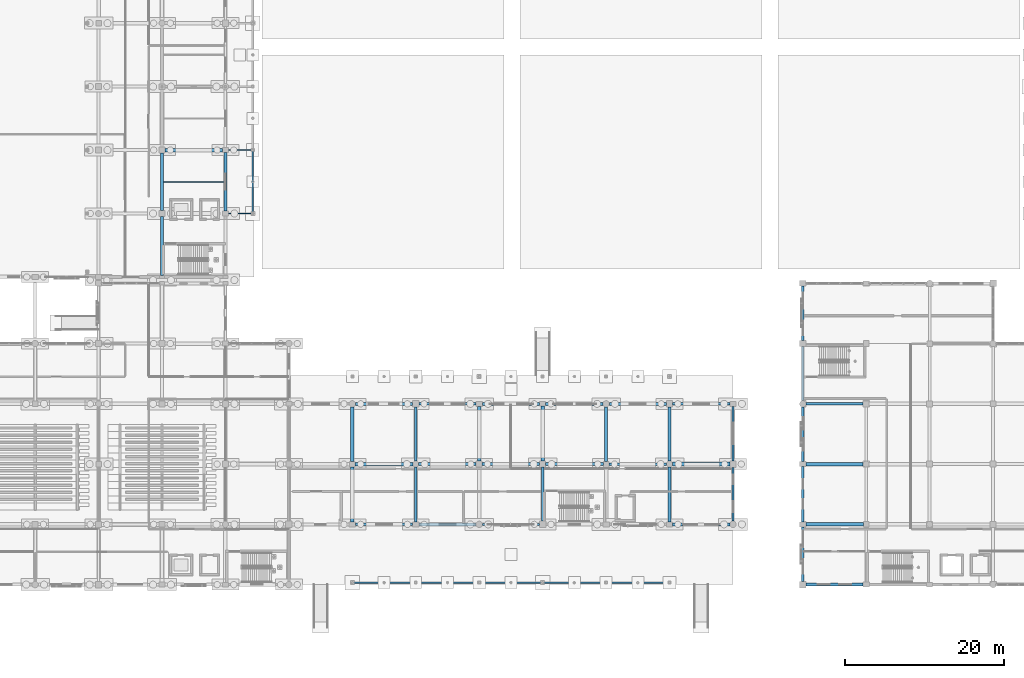
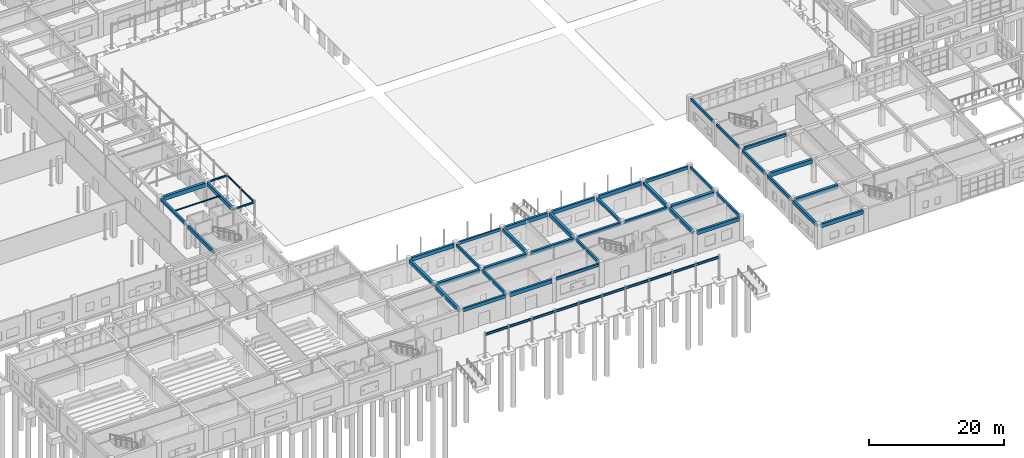
# One storey, part 55 of 166: 50 beams.
"""IFC4 building model written with IfcOpenShell, lengths in metres."""

from ifc_helpers import new_model, si_unit, direction, frame, origin, origin_2d, place, context, subcontext, project, spatial, rectangle, i_section, extrude, material, material_profile, profile_set, type_object, element, save


model = new_model("IFC4")

# Units and contexts
model_context = context("Model", 3, precision=1e-05, world=origin(), true_north=direction((0.0, 1.0)))
body_context = subcontext(model_context, "Body", "Model", "MODEL_VIEW")
ifc_project = project(units=[si_unit("LENGTHUNIT", "METRE"), si_unit("AREAUNIT", "SQUARE_METRE"), si_unit("VOLUMEUNIT", "CUBIC_METRE"), si_unit("PLANEANGLEUNIT", "RADIAN"), si_unit("MASSUNIT", "GRAM", prefix="KILO")], contexts=[model_context])

# Site, building, storey
site_placement = place(None, origin())
site = spatial("IfcSite", under=ifc_project, at=site_placement, CompositionType="ELEMENT")
building_placement = place(site_placement, origin())
building = spatial("IfcBuilding", under=site, at=building_placement, Name="Kharva Crest Polytechnic", CompositionType="ELEMENT")
storey_placement = place(building_placement, origin())
storey = spatial("IfcBuildingStorey", under=building, at=storey_placement, Name="L00", CompositionType="ELEMENT", Elevation=0.0)

# Beams
ifc_material_1 = material(Name="Concrete C35/45", Category="concrete")
ifc_material_profile_1 = material_profile(ifc_material_1, rectangle(XDim=0.300048828125, YDim=0.449951171875, at=origin_2d()), Name="RECT 300 X 450")
ifc_profile_set_1 = profile_set([ifc_material_profile_1], Name="Concrete C35/45")
beam_type_1 = type_object("IfcBeamType", Name="BM-RC-300X450", PredefinedType="BEAM", material=ifc_profile_set_1)
beam_1_placement = place(storey_placement, frame((88.0, 8.0, 3.9951171875), z_axis=(0.0, 1.0, 0.0), x_axis=(-1.0, 0.0, 0.0)))
element("IfcBeam", 1, at=beam_1_placement, inside=storey, type_object=beam_type_1, Name="L00 Girder 12/B-C", PredefinedType="BEAM", context=body_context, shape_type="SweptSolid", body=[
    extrude(rectangle(XDim=0.300048828125, YDim=0.449951171875, at=origin_2d()), origin(), (0.0, 0.0, 1.0), 6.830078125),
])
ifc_material_profile_2 = material_profile(ifc_material_1, rectangle(XDim=0.300048828125, YDim=0.47998046875, at=origin_2d()), Name="RECT 300 X 480")
ifc_profile_set_2 = profile_set([ifc_material_profile_2], Name="Concrete C35/45")
beam_type_2 = type_object("IfcBeamType", Name="BM-RC-300X480", PredefinedType="BEAM", material=ifc_profile_set_2)
beam_2_placement = place(storey_placement, frame((72.0, 15.574951171875, 3.97998046875), z_axis=(0.0, 1.0, 0.0), x_axis=(-1.0, 0.0, 0.0)))
element("IfcBeam", 2, at=beam_2_placement, inside=storey, type_object=beam_type_2, Name="L00 Girder 10/C-D", PredefinedType="BEAM", context=body_context, shape_type="SweptSolid", body=[
    extrude(rectangle(XDim=0.300048828125, YDim=0.47998046875, at=origin_2d()), origin(), (0.0, 0.0, 1.0), 6.824951171875),
])
ifc_material_profile_3 = material_profile(ifc_material_1, rectangle(XDim=0.320068359375, YDim=0.5, at=origin_2d()), Name="RECT 320 X 500")
ifc_profile_set_3 = profile_set([ifc_material_profile_3], Name="Concrete C35/45")
beam_type_3 = type_object("IfcBeamType", Name="BM-RC-320X500", PredefinedType="BEAM", material=ifc_profile_set_3)
beam_3_placement = place(storey_placement, frame((96.35009765625, 15.199951171875, 3.969970703125), z_axis=(1.0, 0.0, 0.0), x_axis=(0.0, 1.0, 0.0)))
element("IfcBeam", 3, at=beam_3_placement, inside=storey, type_object=beam_type_3, Name="L00 Beam C/13-14", PredefinedType="BEAM", context=body_context, shape_type="SweptSolid", body=[
    extrude(rectangle(XDim=0.320068359375, YDim=0.5, at=origin_2d()), origin(), (0.0, 0.0, 1.0), 7.27490234375),
])
beam_4_placement = place(storey_placement, frame((121.199951171875, 22.800048828125, 3.969970703125), z_axis=(1.0, 0.0, 0.0), x_axis=(0.0, 1.0, 0.0)))
element("IfcBeam", 4, at=beam_4_placement, inside=storey, type_object=beam_type_3, Name="L00 Beam D/16J-17", PredefinedType="BEAM", context=body_context, shape_type="SweptSolid", body=[
    extrude(rectangle(XDim=0.320068359375, YDim=0.5, at=origin_2d()), origin(), (0.0, 0.0, 1.0), 7.219970703125),
])
ifc_material_profile_4 = material_profile(ifc_material_1, rectangle(XDim=0.340087890625, YDim=0.52001953125, at=origin_2d()), Name="RECT 340 X 520")
ifc_profile_set_4 = profile_set([ifc_material_profile_4], Name="Concrete C35/45")
beam_type_4 = type_object("IfcBeamType", Name="BM-RC-340X520", PredefinedType="BEAM", material=ifc_profile_set_4)
beam_5_placement = place(storey_placement, frame((40.0, 47.179931640625, 3.9599609375), z_axis=(0.0, 1.0, 0.0), x_axis=(-1.0, 0.0, 0.0)))
element("IfcBeam", 5, at=beam_5_placement, inside=storey, type_object=beam_type_4, Name="L00 Girder 6/G-H", PredefinedType="BEAM", context=body_context, shape_type="SweptSolid", body=[
    extrude(rectangle(XDim=0.340087890625, YDim=0.52001953125, at=origin_2d()), origin(), (0.0, 0.0, 1.0), 7.25),
])
beam_6_placement = place(storey_placement, frame((72.0, 7.89990234375, 3.9599609375), z_axis=(0.0, 1.0, 0.0), x_axis=(-1.0, 0.0, 0.0)))
element("IfcBeam", 6, at=beam_6_placement, inside=storey, type_object=beam_type_4, Name="L00 Girder 10/B-C", PredefinedType="BEAM", context=body_context, shape_type="SweptSolid", body=[
    extrude(rectangle(XDim=0.340087890625, YDim=0.52001953125, at=origin_2d()), origin(), (0.0, 0.0, 1.0), 6.925048828125),
])
beam_7_placement = place(storey_placement, frame((96.0, 15.550048828125, 3.9599609375), z_axis=(0.0, 1.0, 0.0), x_axis=(-1.0, 0.0, 0.0)))
element("IfcBeam", 7, at=beam_7_placement, inside=storey, type_object=beam_type_4, Name="L00 Girder 13/C-D", PredefinedType="BEAM", context=body_context, shape_type="SweptSolid", body=[
    extrude(rectangle(XDim=0.340087890625, YDim=0.52001953125, at=origin_2d()), origin(), (0.0, 0.0, 1.0), 6.849853515625),
])
ifc_material_profile_5 = material_profile(ifc_material_1, rectangle(XDim=0.35009765625, YDim=0.550048828125, at=origin_2d()), Name="RECT 350 X 550")
ifc_profile_set_5 = profile_set([ifc_material_profile_5], Name="Concrete C35/45")
beam_type_5 = type_object("IfcBeamType", Name="BM-RC-350X550", PredefinedType="BEAM", material=ifc_profile_set_5)
beam_8_placement = place(storey_placement, frame((88.3701171875, 15.199951171875, 3.945068359375), z_axis=(1.0, 0.0, 0.0), x_axis=(0.0, 1.0, 0.0)))
element("IfcBeam", 8, at=beam_8_placement, inside=storey, type_object=beam_type_5, Name="L00 Beam C/12-13", PredefinedType="BEAM", context=body_context, shape_type="SweptSolid", body=[
    extrude(rectangle(XDim=0.35009765625, YDim=0.550048828125, at=origin_2d()), origin(), (0.0, 0.0, 1.0), 7.27978515625),
])
ifc_material_profile_6 = material_profile(ifc_material_1, rectangle(XDim=0.360107421875, YDim=0.580078125, at=origin_2d()), Name="RECT 360 X 580")
ifc_profile_set_6 = profile_set([ifc_material_profile_6], Name="Concrete C35/45")
beam_type_6 = type_object("IfcBeamType", Name="BM-RC-360X580", PredefinedType="BEAM", material=ifc_profile_set_6)
beam_9_placement = place(storey_placement, frame((40.0, 39.0, 3.929931640625), z_axis=(0.0, 1.0, 0.0), x_axis=(-1.0, 0.0, 0.0)))
element("IfcBeam", 9, at=beam_9_placement, inside=storey, type_object=beam_type_6, Name="L00 Girder 6/FJ-G", PredefinedType="BEAM", context=body_context, shape_type="SweptSolid", body=[
    extrude(rectangle(XDim=0.360107421875, YDim=0.580078125, at=origin_2d()), origin(), (0.0, 0.0, 1.0), 7.419921875),
])
ifc_material_profile_7 = material_profile(ifc_material_1, rectangle(XDim=0.3798828125, YDim=0.60009765625, at=origin_2d()), Name="RECT 380 X 600")
ifc_profile_set_7 = profile_set([ifc_material_profile_7], Name="Concrete C35/45")
beam_type_7 = type_object("IfcBeamType", Name="BM-RC-380X600", PredefinedType="BEAM", material=ifc_profile_set_7)
beam_10_placement = place(storey_placement, frame((80.3798828125, 15.199951171875, 3.919921875), z_axis=(1.0, 0.0, 0.0), x_axis=(0.0, 1.0, 0.0)))
element("IfcBeam", 10, at=beam_10_placement, inside=storey, type_object=beam_type_7, Name="L00 Beam C/11-12", PredefinedType="BEAM", context=body_context, shape_type="SweptSolid", body=[
    extrude(rectangle(XDim=0.3798828125, YDim=0.60009765625, at=origin_2d()), origin(), (0.0, 0.0, 1.0), 7.25),
])
ifc_material_profile_8 = material_profile(ifc_material_1, rectangle(XDim=0.39990234375, YDim=0.580078125, at=origin_2d()), Name="RECT 400 X 580")
ifc_profile_set_8 = profile_set([ifc_material_profile_8], Name="Concrete C35/45")
beam_type_8 = type_object("IfcBeamType", Name="BM-RC-400X580", PredefinedType="BEAM", material=ifc_profile_set_8)
beam_11_placement = place(storey_placement, frame((80.0, 15.580078125, 3.929931640625), z_axis=(0.0, 1.0, 0.0), x_axis=(-1.0, 0.0, 0.0)))
element("IfcBeam", 11, at=beam_11_placement, inside=storey, type_object=beam_type_8, Name="L00 Girder 11/C-D", PredefinedType="BEAM", context=body_context, shape_type="SweptSolid", body=[
    extrude(rectangle(XDim=0.39990234375, YDim=0.580078125, at=origin_2d()), origin(), (0.0, 0.0, 1.0), 6.89501953125),
])
beam_12_placement = place(storey_placement, frame((104.0, 15.574951171875, 3.929931640625), z_axis=(0.0, 1.0, 0.0), x_axis=(-1.0, 0.0, 0.0)))
element("IfcBeam", 12, at=beam_12_placement, inside=storey, type_object=beam_type_8, Name="L00 Girder 14/C-D", PredefinedType="BEAM", context=body_context, shape_type="SweptSolid", body=[
    extrude(rectangle(XDim=0.39990234375, YDim=0.580078125, at=origin_2d()), origin(), (0.0, 0.0, 1.0), 6.824951171875),
])
ifc_material_profile_9 = material_profile(ifc_material_1, rectangle(XDim=0.39990234375, YDim=0.6201171875, at=origin_2d()), Name="RECT 400 X 620")
ifc_profile_set_9 = profile_set([ifc_material_profile_9], Name="Concrete C35/45")
beam_type_9 = type_object("IfcBeamType", Name="BM-RC-400X620", PredefinedType="BEAM", material=ifc_profile_set_9)
beam_13_placement = place(storey_placement, frame((64.0, 15.550048828125, 3.909912109375), z_axis=(0.0, 1.0, 0.0), x_axis=(-1.0, 0.0, 0.0)))
element("IfcBeam", 13, at=beam_13_placement, inside=storey, type_object=beam_type_9, Name="L00 Girder 9/C-D", PredefinedType="BEAM", context=body_context, shape_type="SweptSolid", body=[
    extrude(rectangle(XDim=0.39990234375, YDim=0.6201171875, at=origin_2d()), origin(), (0.0, 0.0, 1.0), 6.849853515625),
])
beam_14_placement = place(storey_placement, frame((104.0, 7.89990234375, 3.909912109375), z_axis=(0.0, 1.0, 0.0), x_axis=(-1.0, 0.0, 0.0)))
element("IfcBeam", 14, at=beam_14_placement, inside=storey, type_object=beam_type_9, Name="L00 Girder 14/B-C", PredefinedType="BEAM", context=body_context, shape_type="SweptSolid", body=[
    extrude(rectangle(XDim=0.39990234375, YDim=0.6201171875, at=origin_2d()), origin(), (0.0, 0.0, 1.0), 6.925048828125),
])
ifc_material_profile_10 = material_profile(ifc_material_1, rectangle(XDim=0.39990234375, YDim=0.64990234375, at=origin_2d()), Name="RECT 400 X 650")
ifc_profile_set_10 = profile_set([ifc_material_profile_10], Name="Concrete C35/45")
beam_type_10 = type_object("IfcBeamType", Name="BM-RC-400X650", PredefinedType="BEAM", material=ifc_profile_set_10)
beam_15_placement = place(storey_placement, frame((72.375, 15.199951171875, 3.89501953125), z_axis=(1.0, 0.0, 0.0), x_axis=(0.0, 1.0, 0.0)))
element("IfcBeam", 15, at=beam_15_placement, inside=storey, type_object=beam_type_10, Name="L00 Beam C/10-11", PredefinedType="BEAM", context=body_context, shape_type="SweptSolid", body=[
    extrude(rectangle(XDim=0.39990234375, YDim=0.64990234375, at=origin_2d()), origin(), (0.0, 0.0, 1.0), 7.2451171875),
])
ifc_material_profile_11 = material_profile(ifc_material_1, rectangle(XDim=0.419921875, YDim=0.659912109375, at=origin_2d()), Name="RECT 420 X 660")
ifc_profile_set_11 = profile_set([ifc_material_profile_11], Name="Concrete C35/45")
beam_type_11 = type_object("IfcBeamType", Name="BM-RC-420X660", PredefinedType="BEAM", material=ifc_profile_set_11)
beam_16_placement = place(storey_placement, frame((64.35009765625, 15.199951171875, 3.889892578125), z_axis=(1.0, 0.0, 0.0), x_axis=(0.0, 1.0, 0.0)))
element("IfcBeam", 16, at=beam_16_placement, inside=storey, type_object=beam_type_11, Name="L00 Beam C/9-10", PredefinedType="BEAM", context=body_context, shape_type="SweptSolid", body=[
    extrude(rectangle(XDim=0.419921875, YDim=0.659912109375, at=origin_2d()), origin(), (0.0, 0.0, 1.0), 7.27490234375),
])
ifc_material_profile_12 = material_profile(ifc_material_1, rectangle(XDim=0.449951171875, YDim=0.679931640625, at=origin_2d()), Name="RECT 450 X 680")
ifc_profile_set_12 = profile_set([ifc_material_profile_12], Name="Concrete C35/45")
beam_type_12 = type_object("IfcBeamType", Name="BM-RC-450X680", PredefinedType="BEAM", material=ifc_profile_set_12)
beam_17_placement = place(storey_placement, frame((64.0, 7.925048828125, 3.8798828125), z_axis=(0.0, 1.0, 0.0), x_axis=(-1.0, 0.0, 0.0)))
element("IfcBeam", 17, at=beam_17_placement, inside=storey, type_object=beam_type_12, Name="L00 Girder 9/B-C", PredefinedType="BEAM", context=body_context, shape_type="SweptSolid", body=[
    extrude(rectangle(XDim=0.449951171875, YDim=0.679931640625, at=origin_2d()), origin(), (0.0, 0.0, 1.0), 6.925048828125),
])
beam_18_placement = place(storey_placement, frame((88.0, 15.570068359375, 3.8798828125), z_axis=(0.0, 1.0, 0.0), x_axis=(-1.0, 0.0, 0.0)))
element("IfcBeam", 18, at=beam_18_placement, inside=storey, type_object=beam_type_12, Name="L00 Girder 12/C-D", PredefinedType="BEAM", context=body_context, shape_type="SweptSolid", body=[
    extrude(rectangle(XDim=0.449951171875, YDim=0.679931640625, at=origin_2d()), origin(), (0.0, 0.0, 1.0), 6.929931640625),
])
ifc_material_profile_13 = material_profile(ifc_material_1, rectangle(XDim=0.449951171875, YDim=0.719970703125, at=origin_2d()), Name="RECT 450 X 720")
ifc_profile_set_13 = profile_set([ifc_material_profile_13], Name="Concrete C35/45")
beam_type_13 = type_object("IfcBeamType", Name="BM-RC-450X720", PredefinedType="BEAM", material=ifc_profile_set_13)
beam_19_placement = place(storey_placement, frame((121.199951171875, 7.60009765625, 3.860107421875), z_axis=(1.0, 0.0, 0.0), x_axis=(0.0, 1.0, 0.0)))
element("IfcBeam", 19, at=beam_19_placement, inside=storey, type_object=beam_type_13, Name="L00 Beam B/16J-17", PredefinedType="BEAM", context=body_context, shape_type="SweptSolid", body=[
    extrude(rectangle(XDim=0.449951171875, YDim=0.719970703125, at=origin_2d()), origin(), (0.0, 0.0, 1.0), 7.25),
])
beam_20_placement = place(storey_placement, frame((121.18994140625, 15.199951171875, 3.860107421875), z_axis=(1.0, 0.0, 0.0), x_axis=(0.0, 1.0, 0.0)))
element("IfcBeam", 20, at=beam_20_placement, inside=storey, type_object=beam_type_13, Name="L00 Beam C/16J-17", PredefinedType="BEAM", context=body_context, shape_type="SweptSolid", body=[
    extrude(rectangle(XDim=0.449951171875, YDim=0.719970703125, at=origin_2d()), origin(), (0.0, 0.0, 1.0), 7.235107421875),
])
beam_21_placement = place(storey_placement, frame((40.3701171875, 54.800048828125, 3.860107421875), z_axis=(1.0, 0.0, 0.0), x_axis=(0.0, 1.0, 0.0)))
element("IfcBeam", 21, at=beam_21_placement, inside=storey, type_object=beam_type_13, Name="L00 Beam H/6-7", PredefinedType="BEAM", context=body_context, shape_type="SweptSolid", body=[
    extrude(rectangle(XDim=0.449951171875, YDim=0.719970703125, at=origin_2d()), origin(), (0.0, 0.0, 1.0), 7.239990234375),
])
ifc_material_profile_14 = material_profile(ifc_material_1, rectangle(XDim=0.47998046875, YDim=0.75, at=origin_2d()), Name="RECT 480 X 750")
ifc_profile_set_14 = profile_set([ifc_material_profile_14], Name="Concrete C35/45")
beam_type_14 = type_object("IfcBeamType", Name="BM-RC-480X750", PredefinedType="BEAM", material=ifc_profile_set_14)
beam_22_placement = place(storey_placement, frame((104.375, 15.199951171875, 3.844970703125), z_axis=(1.0, 0.0, 0.0), x_axis=(0.0, 1.0, 0.0)))
element("IfcBeam", 22, at=beam_22_placement, inside=storey, type_object=beam_type_14, Name="L00 Beam C/14-15", PredefinedType="BEAM", context=body_context, shape_type="SweptSolid", body=[
    extrude(rectangle(XDim=0.47998046875, YDim=0.75, at=origin_2d()), origin(), (0.0, 0.0, 1.0), 7.22509765625),
])
ifc_material_2 = material(Name="Steel S355", Category="steel")
ifc_material_profile_15 = material_profile(ifc_material_2, i_section(OverallWidth=0.134033203125, OverallDepth=0.2099609375, WebThickness=0.00634765625, FlangeThickness=0.01025390625, at=origin_2d()), Name="W200X31.3")
ifc_profile_set_15 = profile_set([ifc_material_profile_15], Name="Steel S355")
beam_type_15 = type_object("IfcBeamType", Name="BM-STL-W200X31", PredefinedType="JOIST", material=ifc_profile_set_15)
beam_23_placement = place(storey_placement, frame((40.169921875, 50.800048828125, 4.114990234375), z_axis=(1.0, 0.0, 0.0), x_axis=(0.0, 1.0, 0.0)))
element("IfcBeam", 23, at=beam_23_placement, inside=storey, type_object=beam_type_15, Name="L00 Floor Joist 1", PredefinedType="JOIST", context=body_context, shape_type="SweptSolid", body=[
    extrude(i_section(OverallWidth=0.134033203125, OverallDepth=0.2099609375, WebThickness=0.00634765625, FlangeThickness=0.01025390625, at=origin_2d()), origin(), (0.0, 0.0, 1.0), 7.655029296875),
])
ifc_material_profile_16 = material_profile(ifc_material_2, i_section(OverallWidth=0.14794921875, OverallDepth=0.26611328125, WebThickness=0.007568359375, FlangeThickness=0.012939453125, at=origin_2d()), Name="W250X44.8")
ifc_profile_set_16 = profile_set([ifc_material_profile_16], Name="Steel S355")
beam_type_16 = type_object("IfcBeamType", Name="BM-STL-W250X44", PredefinedType="SPANDREL", material=ifc_profile_set_16)
beam_24_placement = place(storey_placement, frame((51.449951171875, 46.820068359375, 4.156982421875), z_axis=(0.0, 1.0, 0.0), x_axis=(-1.0, 0.0, 0.0)))
element("IfcBeam", 24, at=beam_24_placement, inside=storey, type_object=beam_type_16, Name="L00 West Veranda Beam 1", PredefinedType="SPANDREL", context=body_context, shape_type="SweptSolid", body=[
    extrude(i_section(OverallWidth=0.14794921875, OverallDepth=0.26611328125, WebThickness=0.007568359375, FlangeThickness=0.012939453125, at=origin_2d()), origin(), (0.0, 0.0, 1.0), 7.9599609375),
])
ifc_material_profile_17 = material_profile(ifc_material_2, i_section(OverallWidth=0.1669921875, OverallDepth=0.31689453125, WebThickness=0.007568359375, FlangeThickness=0.01318359375, at=origin_2d()), Name="W310X52")
ifc_profile_set_17 = profile_set([ifc_material_profile_17], Name="Steel S355")
beam_type_17 = type_object("IfcBeamType", Name="BM-STL-W310X52", PredefinedType="BEAM", material=ifc_profile_set_17)
for number, where, z_axis, x_axis, name in (
    (25, (48.02001953125, 46.800048828125, 4.131591796875), (1.0, 0.0, 0.0), (0.0, 1.0, 0.0), "L00 West Veranda Tie 1"),
    (26, (48.02001953125, 54.800048828125, 4.131591796875), (1.0, 0.0, 0.0), (0.0, 1.0, 0.0), "L00 West Veranda Tie 2"),
):
    element("IfcBeam", number, at=place(storey_placement, frame(where, z_axis=z_axis, x_axis=x_axis)), inside=storey, type_object=beam_type_17, Name=name, PredefinedType="BEAM", context=body_context, shape_type="SweptSolid", body=[
        extrude(i_section(OverallWidth=0.1669921875, OverallDepth=0.31689453125, WebThickness=0.007568359375, FlangeThickness=0.01318359375, at=origin_2d()), origin(), (0.0, 0.0, 1.0), 3.409912109375),
    ])
ifc_material_profile_18 = material_profile(ifc_material_2, i_section(OverallWidth=0.178955078125, OverallDepth=0.409912109375, WebThickness=0.0087890625, FlangeThickness=0.014404296875, at=origin_2d()), Name="W410X67")
ifc_profile_set_18 = profile_set([ifc_material_profile_18], Name="Steel S355")
beam_type_18 = type_object("IfcBeamType", Name="BM-STL-W410X67", PredefinedType="BEAM", material=ifc_profile_set_18)
for number, where, z_axis, x_axis, name in (
    (27, (64.02001953125, 0.25, 4.0849609375), (1.0, 0.0, 0.0), (0.0, 1.0, 0.0), "L00 Street Arcade Girder 1"),
    (28, (72.02001953125, 0.25, 4.0849609375), (1.0, 0.0, 0.0), (0.0, 1.0, 0.0), "L00 Street Arcade Girder 2"),
    (29, (80.02001953125, 0.25, 4.0849609375), (1.0, 0.0, 0.0), (0.0, 1.0, 0.0), "L00 Street Arcade Girder 3"),
    (30, (88.02001953125, 0.25, 4.0849609375), (1.0, 0.0, 0.0), (0.0, 1.0, 0.0), "L00 Street Arcade Girder 4"),
    (31, (96.02001953125, 0.25, 4.0849609375), (1.0, 0.0, 0.0), (0.0, 1.0, 0.0), "L00 Street Arcade Girder 5"),
):
    element("IfcBeam", number, at=place(storey_placement, frame(where, z_axis=z_axis, x_axis=x_axis)), inside=storey, type_object=beam_type_18, Name=name, PredefinedType="BEAM", context=body_context, shape_type="SweptSolid", body=[
        extrude(i_section(OverallWidth=0.178955078125, OverallDepth=0.409912109375, WebThickness=0.0087890625, FlangeThickness=0.014404296875, at=origin_2d()), origin(), (0.0, 0.0, 1.0), 7.9599609375),
    ])
ifc_material_profile_19 = material_profile(ifc_material_1, rectangle(XDim=0.260009765625, YDim=0.43994140625, at=origin_2d()), Name="RECT 260 X 440")
ifc_profile_set_19 = profile_set([ifc_material_profile_19], Name="Concrete C35/45")
beam_type_19 = type_object("IfcBeamType", Name="SP-RC-260X440", PredefinedType="SPANDREL", material=ifc_profile_set_19)
for number, where, z_axis, x_axis, name in (
    (32, (112.0, 15.60009765625, 4.0), (0.0, 1.0, 0.0), (-1.0, 0.0, 0.0), "L00 Girder 15/C-D"),
    (33, (120.800048828125, 30.800048828125, 4.0), (0.0, 1.0, 0.0), (-1.0, 0.0, 0.0), "L00 Girder 16J/E-F"),
):
    element("IfcBeam", number, at=place(storey_placement, frame(where, z_axis=z_axis, x_axis=x_axis)), inside=storey, type_object=beam_type_19, Name=name, PredefinedType="SPANDREL", context=body_context, shape_type="SweptSolid", body=[
        extrude(rectangle(XDim=0.260009765625, YDim=0.43994140625, at=origin_2d()), origin(), (0.0, 0.0, 1.0), 6.875),
    ])
ifc_material_profile_20 = material_profile(ifc_material_1, rectangle(XDim=0.280029296875, YDim=0.4599609375, at=origin_2d()), Name="RECT 280 X 460")
ifc_profile_set_20 = profile_set([ifc_material_profile_20], Name="Concrete C35/45")
beam_type_20 = type_object("IfcBeamType", Name="SP-RC-280X460", PredefinedType="SPANDREL", material=ifc_profile_set_20)
for number, where, z_axis, x_axis, name in (
    (34, (112.0, 8.0, 3.989990234375), (0.0, 1.0, 0.0), (-1.0, 0.0, 0.0), "L00 Girder 15/B-C"),
    (35, (120.800048828125, 23.199951171875, 3.989990234375), (0.0, 1.0, 0.0), (-1.0, 0.0, 0.0), "L00 Girder 16J/D-E"),
):
    element("IfcBeam", number, at=place(storey_placement, frame(where, z_axis=z_axis, x_axis=x_axis)), inside=storey, type_object=beam_type_20, Name=name, PredefinedType="SPANDREL", context=body_context, shape_type="SweptSolid", body=[
        extrude(rectangle(XDim=0.280029296875, YDim=0.4599609375, at=origin_2d()), origin(), (0.0, 0.0, 1.0), 6.800048828125),
    ])
ifc_material_profile_21 = material_profile(ifc_material_1, rectangle(XDim=0.280029296875, YDim=0.5, at=origin_2d()), Name="RECT 280 X 500")
ifc_profile_set_21 = profile_set([ifc_material_profile_21], Name="Concrete C35/45")
beam_type_21 = type_object("IfcBeamType", Name="SP-RC-280X500", PredefinedType="SPANDREL", material=ifc_profile_set_21)
for number, where, z_axis, x_axis, name in (
    (36, (80.39990234375, 7.60009765625, 3.969970703125), (1.0, 0.0, 0.0), (0.0, 1.0, 0.0), "L00 Beam B/11-12"),
    (37, (72.39990234375, 22.800048828125, 3.969970703125), (1.0, 0.0, 0.0), (0.0, 1.0, 0.0), "L00 Beam D/10-11"),
):
    element("IfcBeam", number, at=place(storey_placement, frame(where, z_axis=z_axis, x_axis=x_axis)), inside=storey, type_object=beam_type_21, Name=name, PredefinedType="SPANDREL", context=body_context, shape_type="SweptSolid", body=[
        extrude(rectangle(XDim=0.280029296875, YDim=0.5, at=origin_2d()), origin(), (0.0, 0.0, 1.0), 7.2001953125),
    ])
ifc_material_profile_22 = material_profile(ifc_material_1, rectangle(XDim=0.300048828125, YDim=0.52001953125, at=origin_2d()), Name="RECT 300 X 520")
ifc_profile_set_22 = profile_set([ifc_material_profile_22], Name="Concrete C35/45")
beam_type_22 = type_object("IfcBeamType", Name="SP-RC-300X520", PredefinedType="SPANDREL", material=ifc_profile_set_22)
beam_25_placement = place(storey_placement, frame((120.800048828125, 15.5, 3.9599609375), z_axis=(0.0, 1.0, 0.0), x_axis=(-1.0, 0.0, 0.0)))
element("IfcBeam", 38, at=beam_25_placement, inside=storey, type_object=beam_type_22, Name="L00 Girder 16J/C-D", PredefinedType="SPANDREL", context=body_context, shape_type="SweptSolid", body=[
    extrude(rectangle(XDim=0.300048828125, YDim=0.52001953125, at=origin_2d()), origin(), (0.0, 0.0, 1.0), 6.89990234375),
])
ifc_material_profile_23 = material_profile(ifc_material_1, rectangle(XDim=0.300048828125, YDim=0.550048828125, at=origin_2d()), Name="RECT 300 X 550")
ifc_profile_set_23 = profile_set([ifc_material_profile_23], Name="Concrete C35/45")
beam_type_23 = type_object("IfcBeamType", Name="SP-RC-300X550", PredefinedType="SPANDREL", material=ifc_profile_set_23)
beam_26_placement = place(storey_placement, frame((104.39990234375, 22.800048828125, 3.945068359375), z_axis=(1.0, 0.0, 0.0), x_axis=(0.0, 1.0, 0.0)))
element("IfcBeam", 39, at=beam_26_placement, inside=storey, type_object=beam_type_23, Name="L00 Beam D/14-15", PredefinedType="SPANDREL", context=body_context, shape_type="SweptSolid", body=[
    extrude(rectangle(XDim=0.300048828125, YDim=0.550048828125, at=origin_2d()), origin(), (0.0, 0.0, 1.0), 7.2001953125),
])
ifc_material_profile_24 = material_profile(ifc_material_1, rectangle(XDim=0.320068359375, YDim=0.580078125, at=origin_2d()), Name="RECT 320 X 580")
ifc_profile_set_24 = profile_set([ifc_material_profile_24], Name="Concrete C35/45")
beam_type_24 = type_object("IfcBeamType", Name="SP-RC-320X580", PredefinedType="SPANDREL", material=ifc_profile_set_24)
beam_27_placement = place(storey_placement, frame((120.800048828125, 7.925048828125, 3.929931640625), z_axis=(0.0, 1.0, 0.0), x_axis=(-1.0, 0.0, 0.0)))
element("IfcBeam", 40, at=beam_27_placement, inside=storey, type_object=beam_type_24, Name="L00 Girder 16J/B-C", PredefinedType="SPANDREL", context=body_context, shape_type="SweptSolid", body=[
    extrude(rectangle(XDim=0.320068359375, YDim=0.580078125, at=origin_2d()), origin(), (0.0, 0.0, 1.0), 6.974853515625),
])
ifc_material_profile_25 = material_profile(ifc_material_1, rectangle(XDim=0.340087890625, YDim=0.60009765625, at=origin_2d()), Name="RECT 340 X 600")
ifc_profile_set_25 = profile_set([ifc_material_profile_25], Name="Concrete C35/45")
beam_type_25 = type_object("IfcBeamType", Name="SP-RC-340X600", PredefinedType="SPANDREL", material=ifc_profile_set_25)
beam_28_placement = place(storey_placement, frame((64.39990234375, 7.60009765625, 3.919921875), z_axis=(1.0, 0.0, 0.0), x_axis=(0.0, 1.0, 0.0)))
element("IfcBeam", 41, at=beam_28_placement, inside=storey, type_object=beam_type_25, Name="L00 Beam B/9-10", PredefinedType="SPANDREL", context=body_context, shape_type="SweptSolid", body=[
    extrude(rectangle(XDim=0.340087890625, YDim=0.60009765625, at=origin_2d()), origin(), (0.0, 0.0, 1.0), 7.210205078125),
])
ifc_material_profile_26 = material_profile(ifc_material_1, rectangle(XDim=0.35009765625, YDim=0.6201171875, at=origin_2d()), Name="RECT 350 X 620")
ifc_profile_set_26 = profile_set([ifc_material_profile_26], Name="Concrete C35/45")
beam_type_26 = type_object("IfcBeamType", Name="SP-RC-350X620", PredefinedType="SPANDREL", material=ifc_profile_set_26)
beam_29_placement = place(storey_placement, frame((48.0, 47.125, 3.909912109375), z_axis=(0.0, 1.0, 0.0), x_axis=(-1.0, 0.0, 0.0)))
element("IfcBeam", 42, at=beam_29_placement, inside=storey, type_object=beam_type_26, Name="L00 Girder 7/G-H", PredefinedType="SPANDREL", context=body_context, shape_type="SweptSolid", body=[
    extrude(rectangle(XDim=0.35009765625, YDim=0.6201171875, at=origin_2d()), origin(), (0.0, 0.0, 1.0), 7.375),
])
beam_30_placement = place(storey_placement, frame((120.800048828125, 0.39990234375, 3.909912109375), z_axis=(0.0, 1.0, 0.0), x_axis=(-1.0, 0.0, 0.0)))
element("IfcBeam", 43, at=beam_30_placement, inside=storey, type_object=beam_type_26, Name="L00 Girder 16J/A-B", PredefinedType="SPANDREL", context=body_context, shape_type="SweptSolid", body=[
    extrude(rectangle(XDim=0.35009765625, YDim=0.6201171875, at=origin_2d()), origin(), (0.0, 0.0, 1.0), 6.875),
])
ifc_material_profile_27 = material_profile(ifc_material_1, rectangle(XDim=0.360107421875, YDim=0.64990234375, at=origin_2d()), Name="RECT 360 X 650")
ifc_profile_set_27 = profile_set([ifc_material_profile_27], Name="Concrete C35/45")
beam_type_27 = type_object("IfcBeamType", Name="SP-RC-360X650", PredefinedType="SPANDREL", material=ifc_profile_set_27)
beam_31_placement = place(storey_placement, frame((88.389892578125, 22.800048828125, 3.89501953125), z_axis=(1.0, 0.0, 0.0), x_axis=(0.0, 1.0, 0.0)))
element("IfcBeam", 44, at=beam_31_placement, inside=storey, type_object=beam_type_27, Name="L00 Beam D/12-13", PredefinedType="SPANDREL", context=body_context, shape_type="SweptSolid", body=[
    extrude(rectangle(XDim=0.360107421875, YDim=0.64990234375, at=origin_2d()), origin(), (0.0, 0.0, 1.0), 7.210205078125),
])
ifc_material_profile_28 = material_profile(ifc_material_1, rectangle(XDim=0.3798828125, YDim=0.679931640625, at=origin_2d()), Name="RECT 380 X 680")
ifc_profile_set_28 = profile_set([ifc_material_profile_28], Name="Concrete C35/45")
beam_type_28 = type_object("IfcBeamType", Name="SP-RC-380X680", PredefinedType="SPANDREL", material=ifc_profile_set_28)
beam_32_placement = place(storey_placement, frame((121.199951171875, 0.0, 3.8798828125), z_axis=(1.0, 0.0, 0.0), x_axis=(0.0, 1.0, 0.0)))
element("IfcBeam", 45, at=beam_32_placement, inside=storey, type_object=beam_type_28, Name="L00 Beam A/16J-17", PredefinedType="SPANDREL", context=body_context, shape_type="SweptSolid", body=[
    extrude(rectangle(XDim=0.3798828125, YDim=0.679931640625, at=origin_2d()), origin(), (0.0, 0.0, 1.0), 7.199951171875),
])
for number, where, z_axis, x_axis, name in (
    (46, (72.389892578125, 7.60009765625, 3.8798828125), (1.0, 0.0, 0.0), (0.0, 1.0, 0.0), "L00 Beam B/10-11"),
    (47, (104.389892578125, 7.60009765625, 3.8798828125), (1.0, 0.0, 0.0), (0.0, 1.0, 0.0), "L00 Beam B/14-15"),
):
    element("IfcBeam", number, at=place(storey_placement, frame(where, z_axis=z_axis, x_axis=x_axis)), inside=storey, type_object=beam_type_28, Name=name, PredefinedType="SPANDREL", context=body_context, shape_type="SweptSolid", body=[
        extrude(rectangle(XDim=0.3798828125, YDim=0.679931640625, at=origin_2d()), origin(), (0.0, 0.0, 1.0), 7.210205078125),
    ])
beam_33_placement = place(storey_placement, frame((64.39990234375, 22.800048828125, 3.8798828125), z_axis=(1.0, 0.0, 0.0), x_axis=(0.0, 1.0, 0.0)))
element("IfcBeam", 48, at=beam_33_placement, inside=storey, type_object=beam_type_28, Name="L00 Beam D/9-10", PredefinedType="SPANDREL", context=body_context, shape_type="SweptSolid", body=[
    extrude(rectangle(XDim=0.3798828125, YDim=0.679931640625, at=origin_2d()), origin(), (0.0, 0.0, 1.0), 7.2001953125),
])
beam_34_placement = place(storey_placement, frame((80.39990234375, 22.800048828125, 3.8798828125), z_axis=(1.0, 0.0, 0.0), x_axis=(0.0, 1.0, 0.0)))
element("IfcBeam", 49, at=beam_34_placement, inside=storey, type_object=beam_type_28, Name="L00 Beam D/11-12", PredefinedType="SPANDREL", context=body_context, shape_type="SweptSolid", body=[
    extrude(rectangle(XDim=0.3798828125, YDim=0.679931640625, at=origin_2d()), origin(), (0.0, 0.0, 1.0), 7.210205078125),
])
beam_35_placement = place(storey_placement, frame((96.39990234375, 22.800048828125, 3.8798828125), z_axis=(1.0, 0.0, 0.0), x_axis=(0.0, 1.0, 0.0)))
element("IfcBeam", 50, at=beam_35_placement, inside=storey, type_object=beam_type_28, Name="L00 Beam D/13-14", PredefinedType="SPANDREL", context=body_context, shape_type="SweptSolid", body=[
    extrude(rectangle(XDim=0.3798828125, YDim=0.679931640625, at=origin_2d()), origin(), (0.0, 0.0, 1.0), 7.2001953125),
])

save(model, "model.ifc")
